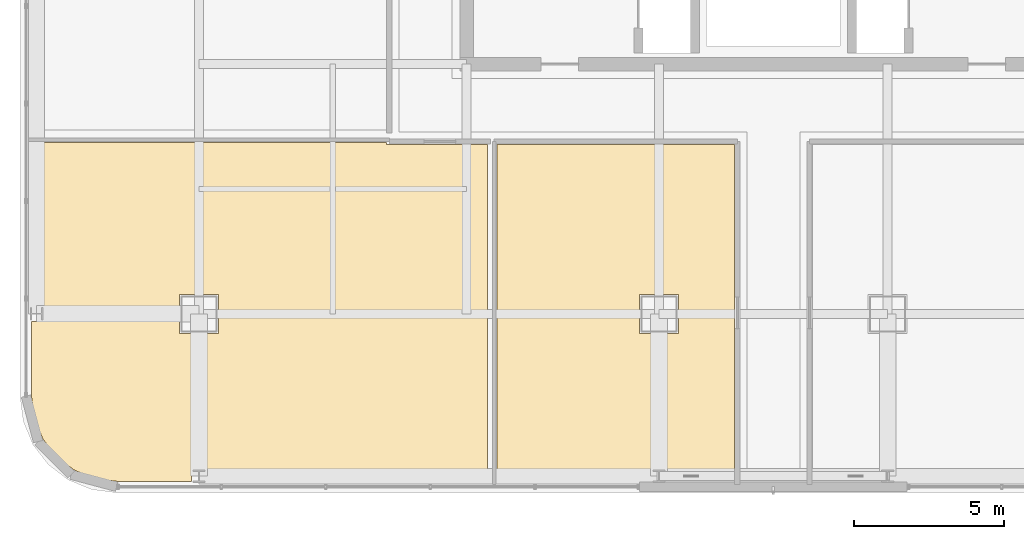
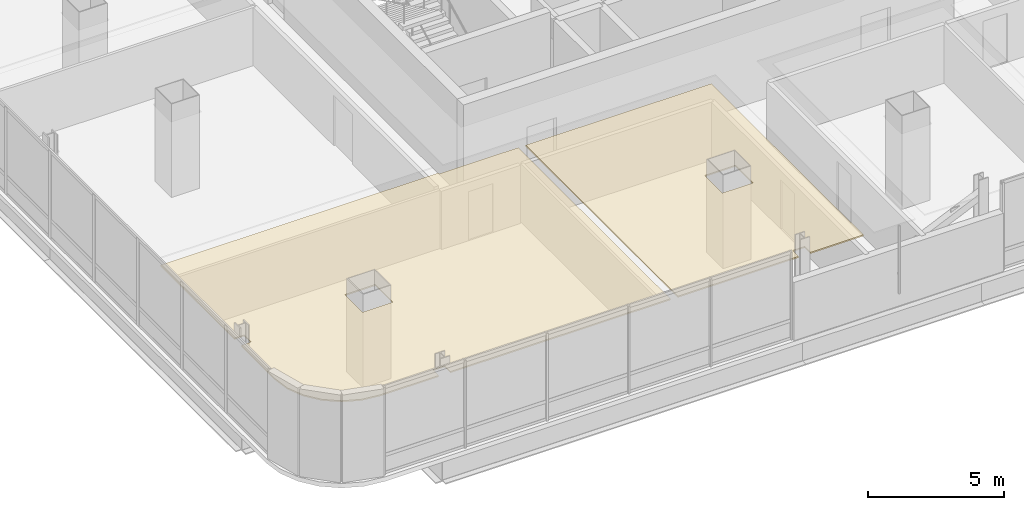
# One storey, part 39 of 46: 2 coverings.
"""IFC4 building model written with IfcOpenShell, lengths in metres."""

import ifcopenshell
import ifcopenshell.guid

model = None  # the IFC model being written
_history = None  # IfcOwnerHistory: only IFC2X3 demands one
_inside = {}  # id of a spatial element -> (the spatial element, [elements in it])
_under = {}  # id of a project, library or spatial element -> (it, [spatial elements below it])
_declared = {}  # id of a project -> (the project, [libraries it declares])
_typed = {}  # id of a type object -> (the type object, [elements of that type])
_made_of = {}  # id of a material, layer set ... -> (it, [elements and type objects made of it])


def new_model(schema):
    """Start an empty IFC model of exactly this schema.

    Asked for "IFC4X3", IfcOpenShell would pick the latest addendum, in which some entities
    have other attributes; the version numbers below select the first issue.
    IFC2X3 requires an IfcOwnerHistory on every rooted entity: one is made here for all.
    """
    global model, _history
    if schema == "IFC4X3":
        model = ifcopenshell.file(schema_version=(4, 3, 0, 0))
    else:
        model = ifcopenshell.file(schema=schema)
    _inside.clear()
    _under.clear()
    _declared.clear()
    _typed.clear()
    _made_of.clear()
    _history = None
    if model.schema == "IFC2X3":
        org = make("IfcOrganization", Name="unknown")
        user = make(
            "IfcPersonAndOrganization",
            ThePerson=make("IfcPerson", FamilyName="unknown"),
            TheOrganization=org,
        )
        app = make(
            "IfcApplication",
            ApplicationDeveloper=org,
            Version="unknown",
            ApplicationFullName="unknown",
            ApplicationIdentifier="unknown",
        )
        _history = make(
            "IfcOwnerHistory",
            OwningUser=user,
            OwningApplication=app,
            ChangeAction="ADDED",
            CreationDate=0,
        )
    return model


def make(cls, **values):
    """One entity of the class cls with the attributes given. An attribute that is None is left unset."""
    return model.create_entity(
        cls, **{name: value for name, value in values.items() if value is not None}
    )


def rooted(cls, **values):
    """An entity with a GlobalId (a new one), such as an element, a storey or a relation."""
    return make(cls, GlobalId=ifcopenshell.guid.new(), OwnerHistory=_history, **values)


def si_unit(unit_type, name, prefix=None):
    """IfcSIUnit, for example si_unit("LENGTHUNIT", "METRE", prefix="MILLI")."""
    return make("IfcSIUnit", UnitType=unit_type, Prefix=prefix, Name=name)


def assignment(units):
    """IfcUnitAssignment: the units of a project."""
    return None if units is None else make("IfcUnitAssignment", Units=units)


def point(xyz):
    """IfcCartesianPoint."""
    return None if xyz is None else make("IfcCartesianPoint", Coordinates=xyz)


def direction(xyz):
    """IfcDirection."""
    return None if xyz is None else make("IfcDirection", DirectionRatios=xyz)


def frame(location, z_axis=None, x_axis=None):
    """IfcAxis2Placement3D, a coordinate frame: its origin and axes. An axis left out is left unset."""
    return make(
        "IfcAxis2Placement3D",
        Location=point(location),
        Axis=direction(z_axis),
        RefDirection=direction(x_axis),
    )


def origin():
    """The frame at (0, 0, 0) with its axes left unset."""
    return frame((0.0, 0.0, 0.0))


def place(relative_to, where):
    """IfcLocalPlacement: puts the frame where relative to a parent placement (None: the world)."""
    return make(
        "IfcLocalPlacement", PlacementRelTo=relative_to, RelativePlacement=where
    )


def context(
    kind, dimensions, precision=None, world=None, true_north=None, identifier=None
):
    """IfcGeometricRepresentationContext, for example the 3D "Model" context."""
    return make(
        "IfcGeometricRepresentationContext",
        ContextIdentifier=identifier,
        ContextType=kind,
        CoordinateSpaceDimension=dimensions,
        Precision=precision,
        WorldCoordinateSystem=world,
        TrueNorth=true_north,
    )


def subcontext(parent, identifier, kind, view, scale=None):
    """IfcGeometricRepresentationSubContext, for example "Body" below "Model"."""
    return make(
        "IfcGeometricRepresentationSubContext",
        ContextIdentifier=identifier,
        ContextType=kind,
        ParentContext=parent,
        TargetScale=scale,
        TargetView=view,
    )


def project(units=None, contexts=None):
    """IfcProject with its units and contexts."""
    return rooted(
        "IfcProject",
        Name="project",
        RepresentationContexts=contexts,
        UnitsInContext=assignment(units),
    )


def spatial(cls, under=None, at=None, **own):
    """A site, building, storey or space (cls), placed at a placement, below another one or the project."""
    s = rooted(cls, ObjectPlacement=at, **own)
    if under is not None:
        _under.setdefault(under.id(), (under, []))[1].append(s)
    return s


def polyline(points):
    """IfcPolyline through the points."""
    return make("IfcPolyline", Points=[point(p) for p in points])


def outline(outer, holes=None, kind="AREA"):
    """IfcArbitraryClosedProfileDef: a profile drawn as a closed curve; with holes, ...WithVoids."""
    if holes is None:
        return make("IfcArbitraryClosedProfileDef", ProfileType=kind, OuterCurve=outer)
    return make(
        "IfcArbitraryProfileDefWithVoids",
        ProfileType=kind,
        OuterCurve=outer,
        InnerCurves=holes,
    )


def extrude(swept, where, along, depth):
    """IfcExtrudedAreaSolid: the profile swept, set in the frame where, extruded along a direction by depth."""
    return make(
        "IfcExtrudedAreaSolid",
        SweptArea=swept,
        Position=where,
        ExtrudedDirection=direction(along),
        Depth=depth,
    )


def shape(context_of_items, identifier, shape_type, items):
    """IfcShapeRepresentation: the items that make up one representation, for example the "Body"."""
    return make(
        "IfcShapeRepresentation",
        ContextOfItems=context_of_items,
        RepresentationIdentifier=identifier,
        RepresentationType=shape_type,
        Items=items,
    )


def material(Name=None, Category=None):
    """IfcMaterial."""
    return make("IfcMaterial", Name=Name, Category=Category)


def layer(
    of_material, thickness, ventilated=None, Name=None, Category=None, Priority=None
):
    """IfcMaterialLayer: one layer of a wall or slab, of a material (None: an air gap)."""
    return make(
        "IfcMaterialLayer",
        Material=of_material,
        LayerThickness=thickness,
        IsVentilated=ventilated,
        Name=Name,
        Category=Category,
        Priority=Priority,
    )


def layer_set(layers, Name=None):
    """IfcMaterialLayerSet."""
    return make("IfcMaterialLayerSet", MaterialLayers=layers, LayerSetName=Name)


def made_of(thing, what):
    """Note that an element or type object is made of a material, layer set ...; save() writes the relation."""
    if what is not None:
        _made_of.setdefault(what.id(), (what, []))[1].append(thing)
    return thing


def type_object(cls, material=None, **own):
    """A type object (cls), such as IfcWallType, which elements share."""
    return made_of(rooted(cls, **own), material)


def element(
    cls,
    number,
    at=None,
    inside=None,
    cuts=None,
    type_object=None,
    material=None,
    context=None,
    identifier="Body",
    shape_type=None,
    held_by="IfcProductDefinitionShape",
    body=None,
    shapes=None,
    **own,
):
    """One element of the class cls, such as IfcWall. Its Tag is "e" and its number.

    at: its placement. inside: the storey or other place that contains it. cuts: it is an
    opening in that element (IfcRelVoidsElement). A single representation is given by context,
    identifier, shape_type and body (its items); several are given by shapes. held_by: the class
    of the entity that holds the representations. save() writes the other relations.
    """
    e = rooted(cls, Tag="e%d" % number, ObjectPlacement=at, **own)
    if body is not None:
        shapes = [shape(context, identifier, shape_type, body)]
    if shapes is not None:
        e.Representation = make(held_by, Representations=shapes)
    if inside is not None:
        _inside.setdefault(inside.id(), (inside, []))[1].append(e)
    if cuts is not None:
        rooted(
            "IfcRelVoidsElement", RelatingBuildingElement=cuts, RelatedOpeningElement=e
        )
    if type_object is not None:
        _typed.setdefault(type_object.id(), (type_object, []))[1].append(e)
    return made_of(e, material)


def aggregate(whole, parts):
    """IfcRelAggregates: a whole, such as a stair, and the parts it consists of."""
    return rooted("IfcRelAggregates", RelatingObject=whole, RelatedObjects=parts)


def save(model, path):
    """Write the relations noted so far, then the file.

    IfcRelAggregates (storeys below a building ...), IfcRelContainedInSpatialStructure (elements
    in a storey), IfcRelDefinesByType, IfcRelAssociatesMaterial and IfcRelDeclares: one each for
    every whole, place, type object, material and project.
    """
    for whole, parts in _under.values():
        aggregate(whole, parts)
    for where, things in _inside.values():
        rooted(
            "IfcRelContainedInSpatialStructure",
            RelatedElements=things,
            RelatingStructure=where,
        )
    for kind, things in _typed.values():
        rooted("IfcRelDefinesByType", RelatedObjects=things, RelatingType=kind)
    for what, things in _made_of.values():
        rooted("IfcRelAssociatesMaterial", RelatedObjects=things, RelatingMaterial=what)
    for by, libraries in _declared.values():
        rooted("IfcRelDeclares", RelatingContext=by, RelatedDefinitions=libraries)
    model.write(path)


model = new_model("IFC4")

# Units and contexts
model_context = context("Model", 3, precision=1e-05, world=origin(), true_north=direction((0.0, 1.0)))
body_context = subcontext(model_context, "Body", "Model", "MODEL_VIEW")
ifc_project = project(units=[si_unit("LENGTHUNIT", "METRE"), si_unit("AREAUNIT", "SQUARE_METRE"), si_unit("VOLUMEUNIT", "CUBIC_METRE"), si_unit("PLANEANGLEUNIT", "RADIAN"), si_unit("MASSUNIT", "GRAM", prefix="KILO")], contexts=[model_context])

# Site, building, storey
site_placement = place(None, origin())
site = spatial("IfcSite", under=ifc_project, at=site_placement, CompositionType="ELEMENT")
building_placement = place(site_placement, origin())
building = spatial("IfcBuilding", under=site, at=building_placement, Name="Punatoya Terracotta Tower", CompositionType="ELEMENT")
storey_placement = place(building_placement, frame((0.0, 0.0, 330.0)))
storey = spatial("IfcBuildingStorey", under=building, at=storey_placement, Name="L78", CompositionType="ELEMENT", Elevation=330.0)

# Coverings
ifc_material = material(Name="Acoustic Mineral Fibre Ceiling")
ifc_layer = layer(ifc_material, 0.06005859375)
ifc_layer_set = layer_set([ifc_layer], Name="Acoustic Mineral Fibre Ceiling")
covering_type = type_object("IfcCoveringType", Name="COV-CEIL-60", PredefinedType="CEILING", material=ifc_layer_set)
covering_1_placement = place(storey_placement, frame((0.0, 0.0, 3.389892578125)))
element("IfcCovering", 1, at=covering_1_placement, inside=storey, type_object=covering_type, Name="L78 Open-Plan Computational Simulation Laboratory Acoustic Ceiling", PredefinedType="CEILING", context=body_context, shape_type="SweptSolid", body=[
    extrude(outline(polyline([(-1.300048828125, -11.8701171875), (-9.18505859375, -11.8701171875), (-9.18505859375, -23.070068359375), (-4.052978515625, -23.070068359375), (-4.052978515625, -22.64208984375), (-3.547119140625, -22.64208984375), (-3.547119140625, -23.070068359375), (-1.300048828125, -23.070068359375), (-1.300048828125, -11.8701171875)]), holes=[polyline([(-4.449951171875, -16.85009765625), (-3.14990234375, -16.85009765625), (-3.14990234375, -18.14990234375), (-4.449951171875, -18.14990234375), (-4.449951171875, -16.85009765625)])]), origin(), (0.0, 0.0, 1.0), 0.06005859375),
])
covering_2_placement = place(storey_placement, frame((0.0, 0.0, 3.389892578125)))
element("IfcCovering", 2, at=covering_2_placement, inside=storey, type_object=covering_type, Name="L78 Materials Testing Laboratory Acoustic Ceiling", PredefinedType="CEILING", context=body_context, shape_type="SweptSolid", body=[
    extrude(outline(polyline([(-12.8701171875, -11.8701171875), (-12.8701171875, -11.81005859375), (-24.669921875, -11.81005859375), (-24.669921875, -17.241943359375), (-24.2470703125, -17.241943359375), (-24.2470703125, -17.758056640625), (-24.669921875, -17.758056640625), (-24.669921875, -20.22509765625), (-24.57080078125, -20.97900390625), (-24.289306640625, -21.658203125), (-23.841796875, -22.24169921875), (-23.25830078125, -22.689453125), (-22.5791015625, -22.970703125), (-21.8251953125, -23.070068359375), (-19.35302734375, -23.070068359375), (-19.35302734375, -22.64208984375), (-18.846923828125, -22.64208984375), (-18.846923828125, -23.070068359375), (-9.5048828125, -23.070068359375), (-9.5048828125, -11.8701171875), (-12.8701171875, -11.8701171875)]), holes=[polyline([(-19.75, -18.14990234375), (-19.75, -16.85009765625), (-18.449951171875, -16.85009765625), (-18.449951171875, -18.14990234375), (-19.75, -18.14990234375)])]), origin(), (0.0, 0.0, 1.0), 0.06005859375),
])

save(model, "model.ifc")
